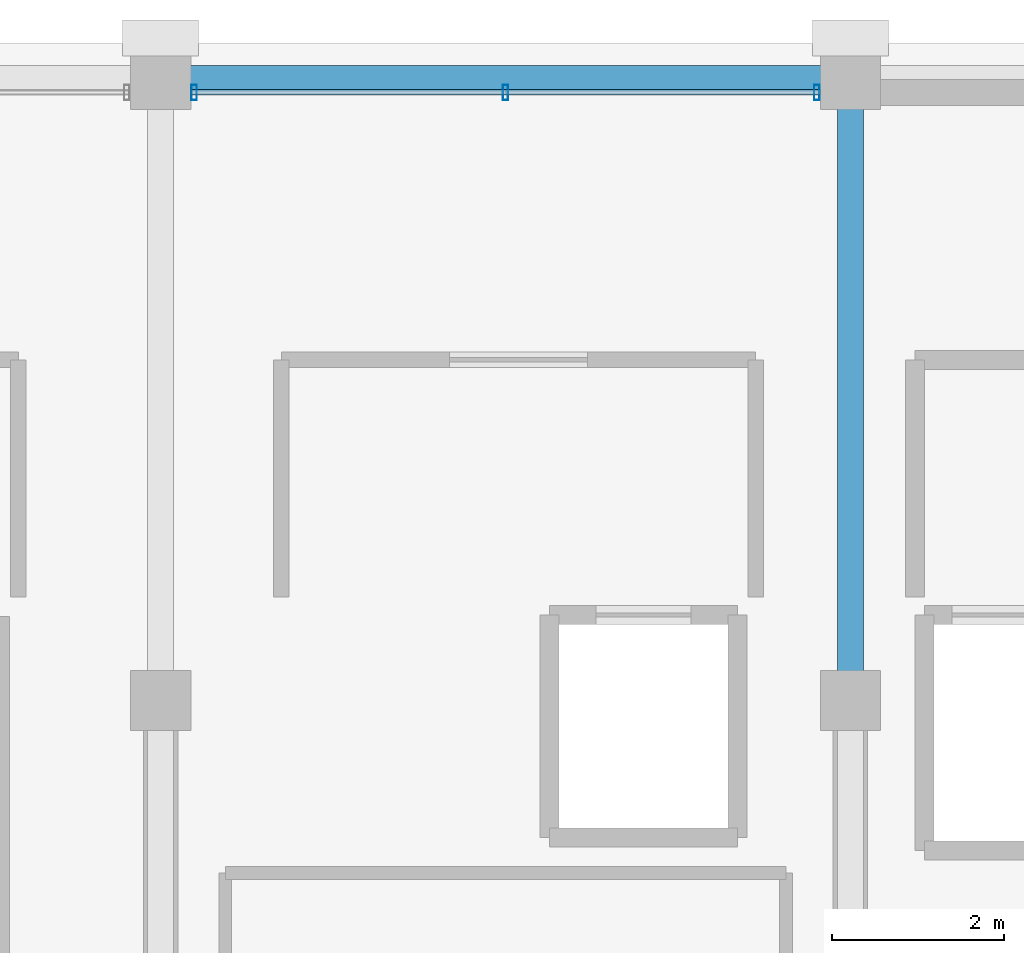
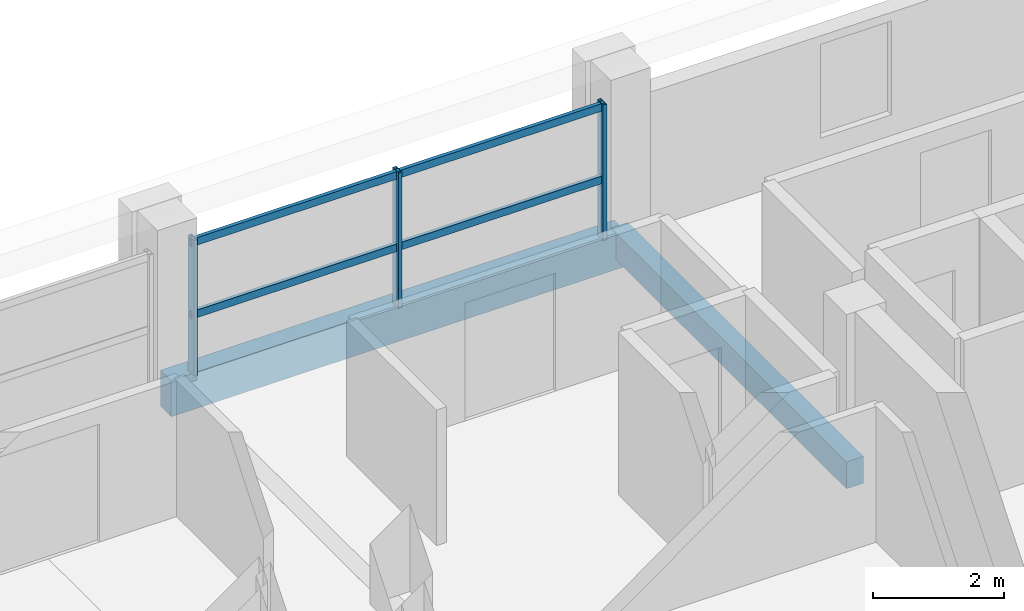
# One storey, part 14 of 21: 5 members, 2 beams, 1 element without a shape of its own.
"""IFC4 building model written with IfcOpenShell, lengths in metres."""

import ifcopenshell
import ifcopenshell.guid

model = None  # the IFC model being written
_history = None  # IfcOwnerHistory: only IFC2X3 demands one
_inside = {}  # id of a spatial element -> (the spatial element, [elements in it])
_under = {}  # id of a project, library or spatial element -> (it, [spatial elements below it])
_declared = {}  # id of a project -> (the project, [libraries it declares])
_typed = {}  # id of a type object -> (the type object, [elements of that type])
_made_of = {}  # id of a material, layer set ... -> (it, [elements and type objects made of it])


def new_model(schema):
    """Start an empty IFC model of exactly this schema.

    Asked for "IFC4X3", IfcOpenShell would pick the latest addendum, in which some entities
    have other attributes; the version numbers below select the first issue.
    IFC2X3 requires an IfcOwnerHistory on every rooted entity: one is made here for all.
    """
    global model, _history
    if schema == "IFC4X3":
        model = ifcopenshell.file(schema_version=(4, 3, 0, 0))
    else:
        model = ifcopenshell.file(schema=schema)
    _inside.clear()
    _under.clear()
    _declared.clear()
    _typed.clear()
    _made_of.clear()
    _history = None
    if model.schema == "IFC2X3":
        org = make("IfcOrganization", Name="unknown")
        user = make(
            "IfcPersonAndOrganization",
            ThePerson=make("IfcPerson", FamilyName="unknown"),
            TheOrganization=org,
        )
        app = make(
            "IfcApplication",
            ApplicationDeveloper=org,
            Version="unknown",
            ApplicationFullName="unknown",
            ApplicationIdentifier="unknown",
        )
        _history = make(
            "IfcOwnerHistory",
            OwningUser=user,
            OwningApplication=app,
            ChangeAction="ADDED",
            CreationDate=0,
        )
    return model


def make(cls, **values):
    """One entity of the class cls with the attributes given. An attribute that is None is left unset."""
    return model.create_entity(
        cls, **{name: value for name, value in values.items() if value is not None}
    )


def rooted(cls, **values):
    """An entity with a GlobalId (a new one), such as an element, a storey or a relation."""
    return make(cls, GlobalId=ifcopenshell.guid.new(), OwnerHistory=_history, **values)


def si_unit(unit_type, name, prefix=None):
    """IfcSIUnit, for example si_unit("LENGTHUNIT", "METRE", prefix="MILLI")."""
    return make("IfcSIUnit", UnitType=unit_type, Prefix=prefix, Name=name)


def assignment(units):
    """IfcUnitAssignment: the units of a project."""
    return None if units is None else make("IfcUnitAssignment", Units=units)


def point(xyz):
    """IfcCartesianPoint."""
    return None if xyz is None else make("IfcCartesianPoint", Coordinates=xyz)


def direction(xyz):
    """IfcDirection."""
    return None if xyz is None else make("IfcDirection", DirectionRatios=xyz)


def frame(location, z_axis=None, x_axis=None):
    """IfcAxis2Placement3D, a coordinate frame: its origin and axes. An axis left out is left unset."""
    return make(
        "IfcAxis2Placement3D",
        Location=point(location),
        Axis=direction(z_axis),
        RefDirection=direction(x_axis),
    )


def frame_2d(location, x_axis=None):
    """IfcAxis2Placement2D, a coordinate frame in the plane: its origin and x axis."""
    return make(
        "IfcAxis2Placement2D", Location=point(location), RefDirection=direction(x_axis)
    )


def origin():
    """The frame at (0, 0, 0) with its axes left unset."""
    return frame((0.0, 0.0, 0.0))


def origin_2d():
    """The frame at (0, 0) in the plane with its x axis left unset."""
    return frame_2d((0.0, 0.0))


def place(relative_to, where):
    """IfcLocalPlacement: puts the frame where relative to a parent placement (None: the world)."""
    return make(
        "IfcLocalPlacement", PlacementRelTo=relative_to, RelativePlacement=where
    )


def context(
    kind, dimensions, precision=None, world=None, true_north=None, identifier=None
):
    """IfcGeometricRepresentationContext, for example the 3D "Model" context."""
    return make(
        "IfcGeometricRepresentationContext",
        ContextIdentifier=identifier,
        ContextType=kind,
        CoordinateSpaceDimension=dimensions,
        Precision=precision,
        WorldCoordinateSystem=world,
        TrueNorth=true_north,
    )


def subcontext(parent, identifier, kind, view, scale=None):
    """IfcGeometricRepresentationSubContext, for example "Body" below "Model"."""
    return make(
        "IfcGeometricRepresentationSubContext",
        ContextIdentifier=identifier,
        ContextType=kind,
        ParentContext=parent,
        TargetScale=scale,
        TargetView=view,
    )


def project(units=None, contexts=None):
    """IfcProject with its units and contexts."""
    return rooted(
        "IfcProject",
        Name="project",
        RepresentationContexts=contexts,
        UnitsInContext=assignment(units),
    )


def spatial(cls, under=None, at=None, **own):
    """A site, building, storey or space (cls), placed at a placement, below another one or the project."""
    s = rooted(cls, ObjectPlacement=at, **own)
    if under is not None:
        _under.setdefault(under.id(), (under, []))[1].append(s)
    return s


def profile(cls, at=None, kind="AREA", **sizes):
    """A parametric profile (cls). Its sizes go by their IFC names, for example OverallWidth=200.0."""
    return make(cls, ProfileType=kind, Position=at, **sizes)


def rectangle(**sizes):
    """IfcRectangleProfileDef."""
    return profile("IfcRectangleProfileDef", **sizes)


def hollow_rectangle(**sizes):
    """IfcRectangleHollowProfileDef."""
    return profile("IfcRectangleHollowProfileDef", **sizes)


def extrude(swept, where, along, depth):
    """IfcExtrudedAreaSolid: the profile swept, set in the frame where, extruded along a direction by depth."""
    return make(
        "IfcExtrudedAreaSolid",
        SweptArea=swept,
        Position=where,
        ExtrudedDirection=direction(along),
        Depth=depth,
    )


def shape(context_of_items, identifier, shape_type, items):
    """IfcShapeRepresentation: the items that make up one representation, for example the "Body"."""
    return make(
        "IfcShapeRepresentation",
        ContextOfItems=context_of_items,
        RepresentationIdentifier=identifier,
        RepresentationType=shape_type,
        Items=items,
    )


def material(Name=None, Category=None):
    """IfcMaterial."""
    return make("IfcMaterial", Name=Name, Category=Category)


def material_profile(
    of_material, cross_section, Name=None, Category=None, Priority=None
):
    """IfcMaterialProfile: a cross section and its material."""
    return make(
        "IfcMaterialProfile",
        Name=Name,
        Material=of_material,
        Profile=cross_section,
        Priority=Priority,
        Category=Category,
    )


def profile_set(profiles, Name=None, composite=None):
    """IfcMaterialProfileSet."""
    return make(
        "IfcMaterialProfileSet",
        Name=Name,
        MaterialProfiles=profiles,
        CompositeProfile=composite,
    )


def made_of(thing, what):
    """Note that an element or type object is made of a material, layer set ...; save() writes the relation."""
    if what is not None:
        _made_of.setdefault(what.id(), (what, []))[1].append(thing)
    return thing


def type_object(cls, material=None, **own):
    """A type object (cls), such as IfcWallType, which elements share."""
    return made_of(rooted(cls, **own), material)


def element(
    cls,
    number,
    at=None,
    inside=None,
    cuts=None,
    type_object=None,
    material=None,
    context=None,
    identifier="Body",
    shape_type=None,
    held_by="IfcProductDefinitionShape",
    body=None,
    shapes=None,
    **own,
):
    """One element of the class cls, such as IfcWall. Its Tag is "e" and its number.

    at: its placement. inside: the storey or other place that contains it. cuts: it is an
    opening in that element (IfcRelVoidsElement). A single representation is given by context,
    identifier, shape_type and body (its items); several are given by shapes. held_by: the class
    of the entity that holds the representations. save() writes the other relations.
    """
    e = rooted(cls, Tag="e%d" % number, ObjectPlacement=at, **own)
    if body is not None:
        shapes = [shape(context, identifier, shape_type, body)]
    if shapes is not None:
        e.Representation = make(held_by, Representations=shapes)
    if inside is not None:
        _inside.setdefault(inside.id(), (inside, []))[1].append(e)
    if cuts is not None:
        rooted(
            "IfcRelVoidsElement", RelatingBuildingElement=cuts, RelatedOpeningElement=e
        )
    if type_object is not None:
        _typed.setdefault(type_object.id(), (type_object, []))[1].append(e)
    return made_of(e, material)


def aggregate(whole, parts):
    """IfcRelAggregates: a whole, such as a stair, and the parts it consists of."""
    return rooted("IfcRelAggregates", RelatingObject=whole, RelatedObjects=parts)


def save(model, path):
    """Write the relations noted so far, then the file.

    IfcRelAggregates (storeys below a building ...), IfcRelContainedInSpatialStructure (elements
    in a storey), IfcRelDefinesByType, IfcRelAssociatesMaterial and IfcRelDeclares: one each for
    every whole, place, type object, material and project.
    """
    for whole, parts in _under.values():
        aggregate(whole, parts)
    for where, things in _inside.values():
        rooted(
            "IfcRelContainedInSpatialStructure",
            RelatedElements=things,
            RelatingStructure=where,
        )
    for kind, things in _typed.values():
        rooted("IfcRelDefinesByType", RelatedObjects=things, RelatingType=kind)
    for what, things in _made_of.values():
        rooted("IfcRelAssociatesMaterial", RelatedObjects=things, RelatingMaterial=what)
    for by, libraries in _declared.values():
        rooted("IfcRelDeclares", RelatingContext=by, RelatedDefinitions=libraries)
    model.write(path)


model = new_model("IFC4")

# Units and contexts
model_context = context("Model", 3, precision=1e-05, world=origin(), true_north=direction((0.0, 1.0)))
body_context = subcontext(model_context, "Body", "Model", "MODEL_VIEW")
ifc_project = project(units=[si_unit("LENGTHUNIT", "METRE"), si_unit("AREAUNIT", "SQUARE_METRE"), si_unit("VOLUMEUNIT", "CUBIC_METRE"), si_unit("PLANEANGLEUNIT", "RADIAN"), si_unit("MASSUNIT", "GRAM", prefix="KILO")], contexts=[model_context])

# Site, building, storey
site_placement = place(None, origin())
site = spatial("IfcSite", under=ifc_project, at=site_placement, CompositionType="ELEMENT")
building_placement = place(site_placement, origin())
building = spatial("IfcBuilding", under=site, at=building_placement, Name="Akrevak Sports Hall", CompositionType="ELEMENT")
storey_placement = place(building_placement, frame((0.0, 0.0, 53.550048828125)))
storey = spatial("IfcBuildingStorey", under=building, at=storey_placement, Name="L13", CompositionType="ELEMENT", Elevation=53.550048828125)

# Curtain wall, members
ifc_material_1 = material(Name="Anodized Bronze Aluminium & Low-E Glass", Category="aluminium")
curtain_wall_type = type_object("IfcCurtainWallType", Name="ARC-CW-TWR-68x30", PredefinedType="NOTDEFINED", material=ifc_material_1)
curtain_wall_placement = place(storey_placement, origin())
curtain_wall = element("IfcCurtainWall", 1, at=curtain_wall_placement, inside=storey, type_object=curtain_wall_type, Name="Curtain Wall CW-L13-N19", PredefinedType="NOTDEFINED")
ifc_material_2 = material(Name="Anodized Bronze Aluminium", Category="aluminium")
ifc_material_profile_1 = material_profile(ifc_material_2, hollow_rectangle(XDim=0.06494140625, YDim=0.179931640625, WallThickness=0.00390625, at=origin_2d()), Name="CWM 65x180", Category="aluminium")
ifc_profile_set_1 = profile_set([ifc_material_profile_1], Name="Anodized Bronze Aluminium")
member_type_1 = type_object("IfcMemberType", Name="ARC-CWM-65x140", PredefinedType="MULLION", material=ifc_profile_set_1)
member_1_placement = place(storey_placement, frame((91.610107421875, 69.449951171875, 0.0), z_axis=(0.0, 0.0, 1.0), x_axis=(-1.0, 0.0, 0.0)))
member_1 = element("IfcMember", 2, at=member_1_placement, type_object=member_type_1, Name="Curtain Wall Mullion CW-L13-N19-M1", PredefinedType="MULLION", context=body_context, shape_type="SweptSolid", body=[
    extrude(hollow_rectangle(XDim=0.06494140625, YDim=0.179931640625, WallThickness=0.00390625, at=origin_2d()), origin(), (0.0, 0.0, 1.0), 2.530029296875),
])
member_2_placement = place(storey_placement, frame((88.0, 69.449951171875, 0.0), z_axis=(0.0, 0.0, 1.0), x_axis=(-1.0, 0.0, 0.0)))
member_2 = element("IfcMember", 3, at=member_2_placement, type_object=member_type_1, Name="Curtain Wall Mullion CW-L13-N19-M2", PredefinedType="MULLION", context=body_context, shape_type="SweptSolid", body=[
    extrude(hollow_rectangle(XDim=0.06494140625, YDim=0.179931640625, WallThickness=0.00390625, at=origin_2d()), origin(), (0.0, 0.0, 1.0), 2.530029296875),
])
member_3_placement = place(storey_placement, frame((84.389892578125, 69.449951171875, 0.0), z_axis=(0.0, 0.0, 1.0), x_axis=(-1.0, 0.0, 0.0)))
member_3 = element("IfcMember", 4, at=member_3_placement, type_object=member_type_1, Name="Curtain Wall Mullion CW-L13-N19-M3", PredefinedType="MULLION", context=body_context, shape_type="SweptSolid", body=[
    extrude(hollow_rectangle(XDim=0.06494140625, YDim=0.179931640625, WallThickness=0.00390625, at=origin_2d()), origin(), (0.0, 0.0, 1.0), 2.530029296875),
])
ifc_material_profile_2 = material_profile(ifc_material_2, hollow_rectangle(XDim=0.06494140625, YDim=0.139892578125, WallThickness=0.00390625, at=origin_2d()), Name="CWT 65x140", Category="aluminium")
ifc_profile_set_2 = profile_set([ifc_material_profile_2], Name="Anodized Bronze Aluminium")
member_type_2 = type_object("IfcMemberType", Name="ARC-CWT-65x110", PredefinedType="USERDEFINED", material=ifc_profile_set_2)
member_4_placement = place(storey_placement, frame((91.64990234375, 69.449951171875, 1.099853515625), z_axis=(-1.0, 0.0, 0.0), x_axis=(0.0, -1.0, 0.0)))
member_4 = element("IfcMember", 5, at=member_4_placement, type_object=member_type_2, Name="Curtain Wall Transom CW-L13-N19-T1", ObjectType="TRANSOM", PredefinedType="USERDEFINED", context=body_context, shape_type="SweptSolid", body=[
    extrude(hollow_rectangle(XDim=0.06494140625, YDim=0.139892578125, WallThickness=0.00390625, at=origin_2d()), origin(), (0.0, 0.0, 1.0), 7.2998046875),
])
member_5_placement = place(storey_placement, frame((91.64990234375, 69.449951171875, 2.449951171875), z_axis=(-1.0, 0.0, 0.0), x_axis=(0.0, -1.0, 0.0)))
member_5 = element("IfcMember", 6, at=member_5_placement, type_object=member_type_2, Name="Curtain Wall Transom CW-L13-N19-T2", ObjectType="TRANSOM", PredefinedType="USERDEFINED", context=body_context, shape_type="SweptSolid", body=[
    extrude(hollow_rectangle(XDim=0.06494140625, YDim=0.139892578125, WallThickness=0.00390625, at=origin_2d()), origin(), (0.0, 0.0, 1.0), 7.2998046875),
])
aggregate(curtain_wall, [member_1, member_2, member_3, member_4, member_5])

# Beams
ifc_material_3 = material(Name="Concrete C40/50", Category="concrete")
ifc_material_profile_3 = material_profile(ifc_material_3, rectangle(XDim=0.300048828125, YDim=0.5, at=origin_2d()), Name="BM 300x500", Category="concrete")
ifc_profile_set_3 = profile_set([ifc_material_profile_3], Name="Concrete C40/50")
beam_type_1 = type_object("IfcBeamType", Name="STR-BM-RC300x500", PredefinedType="BEAM", material=ifc_profile_set_3)
beam_1_placement = place(storey_placement, frame((92.0, 62.39990234375, -0.25), z_axis=(0.0, 1.0, 0.0), x_axis=(-1.0, 0.0, 0.0)))
element("IfcBeam", 7, at=beam_1_placement, inside=storey, type_object=beam_type_1, Name="Girder 13/J-K (L13)", PredefinedType="BEAM", context=body_context, shape_type="SweptSolid", body=[
    extrude(rectangle(XDim=0.300048828125, YDim=0.5, at=origin_2d()), origin(), (0.0, 0.0, 1.0), 7.2001953125),
])
ifc_material_profile_4 = material_profile(ifc_material_3, rectangle(XDim=0.320068359375, YDim=0.679931640625, at=origin_2d()), Name="SPD 320x680", Category="concrete")
ifc_profile_set_4 = profile_set([ifc_material_profile_4], Name="Concrete C40/50")
beam_type_2 = type_object("IfcBeamType", Name="STR-SPD-RC320x680", PredefinedType="SPANDREL", material=ifc_profile_set_4)
beam_2_placement = place(storey_placement, frame((84.0, 69.60009765625, -0.340087890625), z_axis=(1.0, 0.0, 0.0), x_axis=(0.0, 1.0, 0.0)))
element("IfcBeam", 8, at=beam_2_placement, inside=storey, type_object=beam_type_2, Name="Girder K/12-13 (L13)", PredefinedType="SPANDREL", context=body_context, shape_type="SweptSolid", body=[
    extrude(rectangle(XDim=0.320068359375, YDim=0.679931640625, at=origin_2d()), origin(), (0.0, 0.0, 1.0), 8.0),
])

save(model, "model.ifc")
